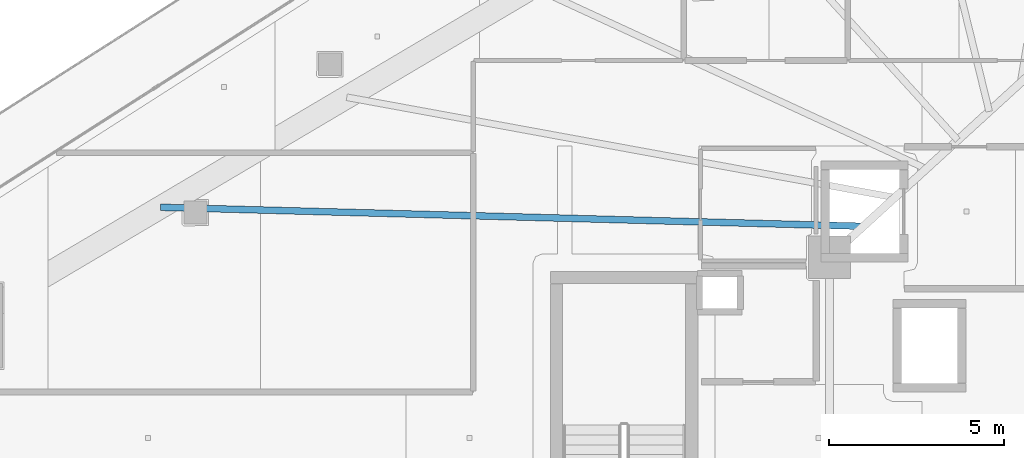
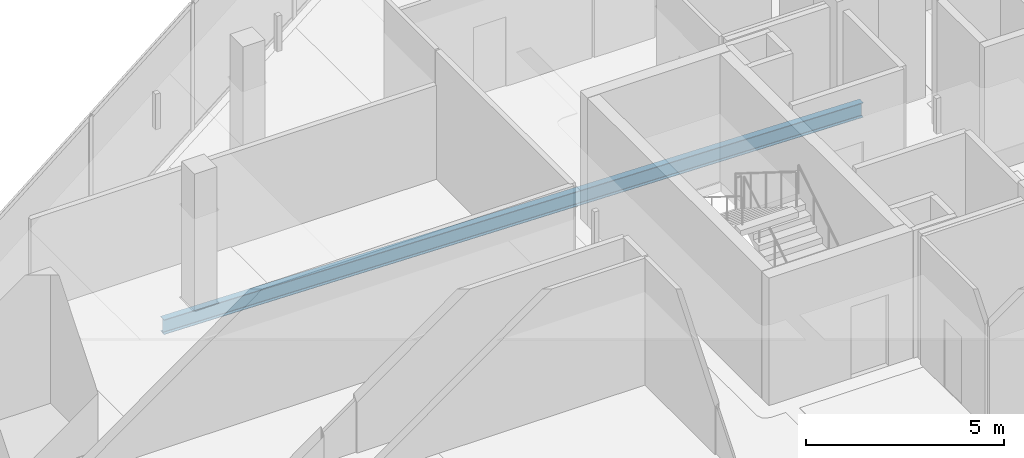
# One storey, part 15 of 47: 1 beam.
"""IFC4 building model written with IfcOpenShell, lengths in metres."""

from ifc_helpers import new_model, si_unit, direction, frame, origin, origin_2d, place, context, subcontext, project, spatial, i_section, extrude, material, material_profile, profile_set, type_object, element, save


model = new_model("IFC4")

# Units and contexts
model_context = context("Model", 3, precision=1e-05, world=origin(), true_north=direction((0.0, 1.0)))
body_context = subcontext(model_context, "Body", "Model", "MODEL_VIEW")
ifc_project = project(units=[si_unit("LENGTHUNIT", "METRE"), si_unit("AREAUNIT", "SQUARE_METRE"), si_unit("VOLUMEUNIT", "CUBIC_METRE"), si_unit("PLANEANGLEUNIT", "RADIAN"), si_unit("MASSUNIT", "GRAM", prefix="KILO")], contexts=[model_context])

# Site, building, storey
site_placement = place(None, origin())
site = spatial("IfcSite", under=ifc_project, at=site_placement, CompositionType="ELEMENT")
building_placement = place(site_placement, origin())
building = spatial("IfcBuilding", under=site, at=building_placement, Name="Qorvath Tower", CompositionType="ELEMENT")
storey_placement = place(building_placement, frame((0.0, 0.0, 82.800048828125)))
storey = spatial("IfcBuildingStorey", under=building, at=storey_placement, Name="L18", CompositionType="ELEMENT", Elevation=82.800048828125)

# Beam
ifc_material = material(Name="Steel ASTM A992 Grade 50", Category="steel")
ifc_material_profile = material_profile(ifc_material, i_section(OverallWidth=0.18994140625, OverallDepth=0.45703125, WebThickness=0.009033203125, FlangeThickness=0.014404296875, FilletRadius=0.011962890625, at=origin_2d()), Name="W18x50")
ifc_profile_set = profile_set([ifc_material_profile], Name="Steel ASTM A992 Grade 50")
beam_type = type_object("IfcBeamType", Name="BM-FJ2", PredefinedType="JOIST", material=ifc_profile_set)
beam_placement = place(storey_placement, frame((-29.533935546875, 6.031982421875, -0.508544921875), z_axis=(-0.999634925413, 0.02701880631, 0.0), x_axis=(-0.02701880631, -0.999634925413, 0.0)))
element("IfcBeam", 1, at=beam_placement, inside=storey, type_object=beam_type, Name="Composite Floor Joist NW1 L18", PredefinedType="JOIST", context=body_context, shape_type="SweptSolid", body=[
    extrude(i_section(OverallWidth=0.18994140625, OverallDepth=0.45703125, WebThickness=0.009033203125, FlangeThickness=0.014404296875, FilletRadius=0.011962890625, at=origin_2d()), origin(), (0.0, 0.0, 1.0), 20.041748046875),
])

save(model, "model.ifc")
